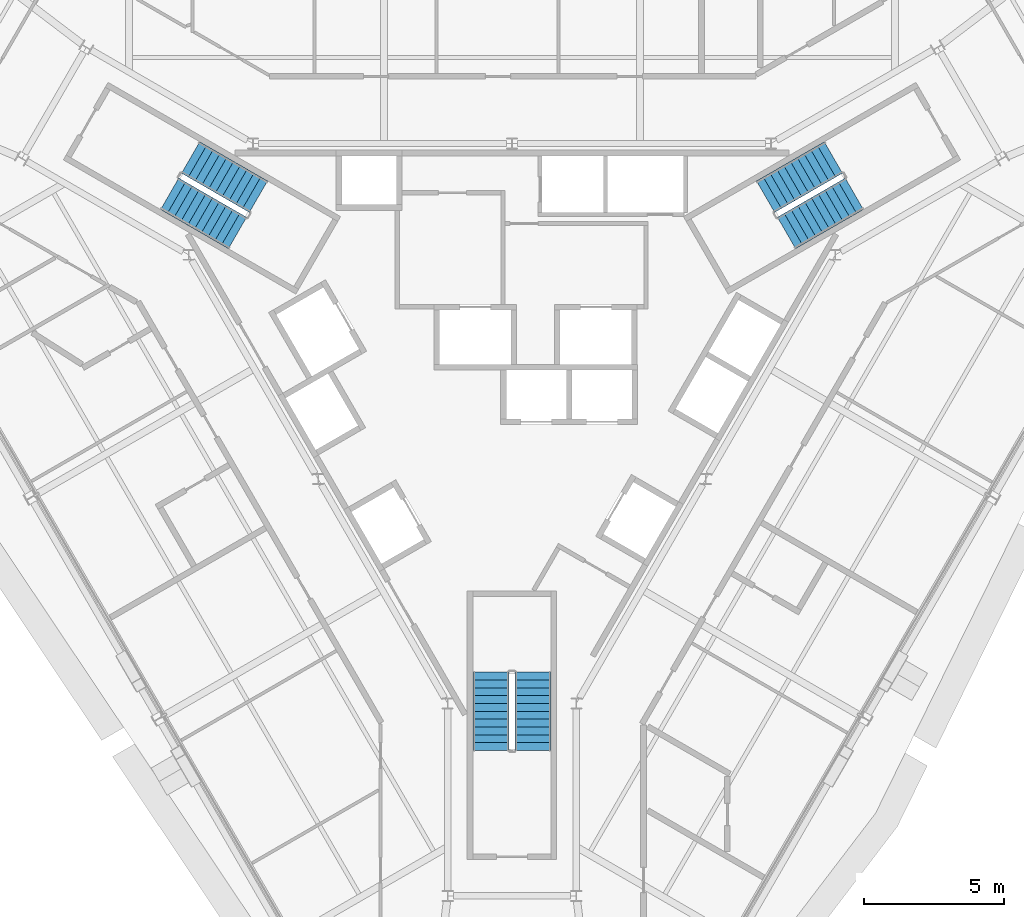
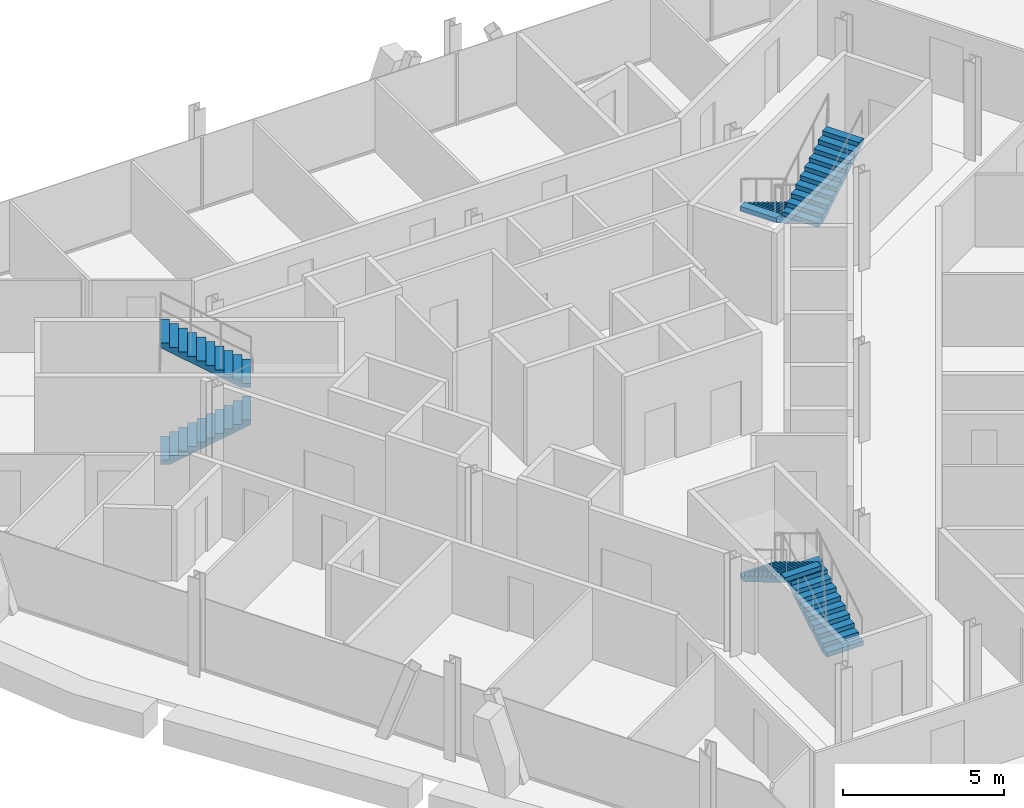
# One storey, part 13 of 15: 6 stair flights, 3 elements without a shape of their own.
"""IFC4 building model written with IfcOpenShell, lengths in metres."""

from ifc_helpers import new_model, si_unit, direction, frame, origin, place, context, subcontext, project, spatial, polyline, outline, extrude, material, type_object, element, aggregate, save


model = new_model("IFC4")

# Units and contexts
model_context = context("Model", 3, precision=1e-05, world=origin(), true_north=direction((0.0, 1.0)))
body_context = subcontext(model_context, "Body", "Model", "MODEL_VIEW")
ifc_project = project(units=[si_unit("LENGTHUNIT", "METRE"), si_unit("AREAUNIT", "SQUARE_METRE"), si_unit("VOLUMEUNIT", "CUBIC_METRE"), si_unit("PLANEANGLEUNIT", "RADIAN"), si_unit("MASSUNIT", "GRAM", prefix="KILO")], contexts=[model_context])

# Site, building, storey
site_placement = place(None, origin())
site = spatial("IfcSite", under=ifc_project, at=site_placement, CompositionType="ELEMENT")
building_placement = place(site_placement, origin())
building = spatial("IfcBuilding", under=site, at=building_placement, Name="Verrane Prism Tower", CompositionType="ELEMENT")
storey_placement = place(building_placement, frame((0.0, 0.0, 250.800048828125)))
storey = spatial("IfcBuildingStorey", under=building, at=storey_placement, Name="L63", CompositionType="ELEMENT", Elevation=250.800048828125)

# Stair, stair flights
ifc_material_1 = material(Name="Concrete C40/50", Category="concrete")
stair_type = type_object("IfcStairType", Name="Exit stair 1300 dog-leg precast concrete C40/50", PredefinedType="HALF_TURN_STAIR", material=ifc_material_1)
stair_1_placement = place(storey_placement, origin())
stair_1 = element("IfcStair", 1, at=stair_1_placement, inside=storey, type_object=stair_type, Name="Stair 1 L63", PredefinedType="HALF_TURN_STAIR")
ifc_material_2 = material(Name="Concrete C40/50", Category="concrete")
stair_flight_type = type_object("IfcStairFlightType", Name="Stair flight 1300 precast concrete C40/50", PredefinedType="STRAIGHT", material=ifc_material_2)
stair_flight_1_placement = place(storey_placement, frame((11.489501953125, 7.49951171875, 0.0), z_axis=(0.0, 0.0, 1.0), x_axis=(-0.866025403784, -0.5, 0.0)))
stair_flight_1 = element("IfcStairFlight", 2, at=stair_flight_1_placement, type_object=stair_flight_type, Name="Stair 1 flight 1", NumberOfRisers=11, NumberOfTreads=10, PredefinedType="STRAIGHT", RiserHeight=0.168181818, TreadLength=0.28, context=body_context, shape_type="SweptSolid", body=[
    extrude(outline(polyline([(0.0, 0.0), (0.0, 0.168212890625), (0.280029296875, 0.168212890625), (0.280029296875, 0.33642578125), (0.56005859375, 0.33642578125), (0.56005859375, 0.504638671875), (0.840087890625, 0.504638671875), (0.840087890625, 0.672607421875), (1.1201171875, 0.672607421875), (1.1201171875, 0.8408203125), (1.39990234375, 0.8408203125), (1.39990234375, 1.009033203125), (1.679931640625, 1.009033203125), (1.679931640625, 1.17724609375), (1.9599609375, 1.17724609375), (1.9599609375, 1.345458984375), (2.239990234375, 1.345458984375), (2.239990234375, 1.513671875), (2.52001953125, 1.513671875), (2.52001953125, 1.681884765625), (2.800048828125, 1.681884765625), (2.800048828125, 1.85009765625), (2.800048828125, 1.5068359375), (0.291015625, 0.0), (0.0, 0.0)])), frame((0.0, 0.64990234375, 0.0), z_axis=(0.0, -1.0, 0.0), x_axis=(1.0, 0.0, 0.0)), (0.0, 0.0, 1.0), 1.300048828125),
])
stair_flight_2_placement = place(storey_placement, frame((9.814697265625, 4.800537109375, 1.849853515625), z_axis=(0.0, 0.0, 1.0), x_axis=(0.866025403784, 0.5, 0.0)))
stair_flight_2 = element("IfcStairFlight", 3, at=stair_flight_2_placement, type_object=stair_flight_type, Name="Stair 1 flight 2", NumberOfRisers=11, NumberOfTreads=10, PredefinedType="STRAIGHT", RiserHeight=0.168181818, TreadLength=0.28, context=body_context, shape_type="SweptSolid", body=[
    extrude(outline(polyline([(0.0, 0.0), (0.0, 0.168212890625), (0.280029296875, 0.168212890625), (0.280029296875, 0.33642578125), (0.56005859375, 0.33642578125), (0.56005859375, 0.504638671875), (0.840087890625, 0.504638671875), (0.840087890625, 0.672607421875), (1.1201171875, 0.672607421875), (1.1201171875, 0.8408203125), (1.39990234375, 0.8408203125), (1.39990234375, 1.009033203125), (1.679931640625, 1.009033203125), (1.679931640625, 1.17724609375), (1.9599609375, 1.17724609375), (1.9599609375, 1.345458984375), (2.239990234375, 1.345458984375), (2.239990234375, 1.513671875), (2.52001953125, 1.513671875), (2.52001953125, 1.681884765625), (2.800048828125, 1.681884765625), (2.800048828125, 1.85009765625), (2.800048828125, 1.5068359375), (0.291015625, 0.0), (0.0, 0.0)])), frame((0.0, 0.64990234375, 0.0), z_axis=(0.0, -1.0, 0.0), x_axis=(1.0, 0.0, 0.0)), (0.0, 0.0, 1.0), 1.300048828125),
])
aggregate(stair_1, [stair_flight_1, stair_flight_2])

stair_2_placement = place(storey_placement, origin())
stair_2 = element("IfcStair", 4, at=stair_2_placement, inside=storey, type_object=stair_type, Name="Stair 2 L63", PredefinedType="HALF_TURN_STAIR")
stair_flight_3_placement = place(storey_placement, frame((-12.239501953125, 6.200439453125, 0.0), z_axis=(0.0, 0.0, 1.0), x_axis=(0.866025403784, -0.5, 0.0)))
stair_flight_3 = element("IfcStairFlight", 5, at=stair_flight_3_placement, type_object=stair_flight_type, Name="Stair 2 flight 1", NumberOfRisers=11, NumberOfTreads=10, PredefinedType="STRAIGHT", RiserHeight=0.168181818, TreadLength=0.28, context=body_context, shape_type="SweptSolid", body=[
    extrude(outline(polyline([(0.0, 0.0), (0.0, 0.168212890625), (0.280029296875, 0.168212890625), (0.280029296875, 0.33642578125), (0.56005859375, 0.33642578125), (0.56005859375, 0.504638671875), (0.840087890625, 0.504638671875), (0.840087890625, 0.672607421875), (1.1201171875, 0.672607421875), (1.1201171875, 0.8408203125), (1.39990234375, 0.8408203125), (1.39990234375, 1.009033203125), (1.679931640625, 1.009033203125), (1.679931640625, 1.17724609375), (1.9599609375, 1.17724609375), (1.9599609375, 1.345458984375), (2.239990234375, 1.345458984375), (2.239990234375, 1.513671875), (2.52001953125, 1.513671875), (2.52001953125, 1.681884765625), (2.800048828125, 1.681884765625), (2.800048828125, 1.85009765625), (2.800048828125, 1.5068359375), (0.291015625, 0.0), (0.0, 0.0)])), frame((0.0, 0.64990234375, 0.0), z_axis=(0.0, -1.0, 0.0), x_axis=(1.0, 0.0, 0.0)), (0.0, 0.0, 1.0), 1.300048828125),
])
stair_flight_4_placement = place(storey_placement, frame((-9.064697265625, 6.099609375, 1.849853515625), z_axis=(0.0, 0.0, 1.0), x_axis=(-0.866025403784, 0.5, 0.0)))
stair_flight_4 = element("IfcStairFlight", 6, at=stair_flight_4_placement, type_object=stair_flight_type, Name="Stair 2 flight 2", NumberOfRisers=11, NumberOfTreads=10, PredefinedType="STRAIGHT", RiserHeight=0.168181818, TreadLength=0.28, context=body_context, shape_type="SweptSolid", body=[
    extrude(outline(polyline([(0.0, 0.0), (0.0, 0.168212890625), (0.280029296875, 0.168212890625), (0.280029296875, 0.33642578125), (0.56005859375, 0.33642578125), (0.56005859375, 0.504638671875), (0.840087890625, 0.504638671875), (0.840087890625, 0.672607421875), (1.1201171875, 0.672607421875), (1.1201171875, 0.8408203125), (1.39990234375, 0.8408203125), (1.39990234375, 1.009033203125), (1.679931640625, 1.009033203125), (1.679931640625, 1.17724609375), (1.9599609375, 1.17724609375), (1.9599609375, 1.345458984375), (2.239990234375, 1.345458984375), (2.239990234375, 1.513671875), (2.52001953125, 1.513671875), (2.52001953125, 1.681884765625), (2.800048828125, 1.681884765625), (2.800048828125, 1.85009765625), (2.800048828125, 1.5068359375), (0.291015625, 0.0), (0.0, 0.0)])), frame((0.0, 0.64990234375, 0.0), z_axis=(0.0, -1.0, 0.0), x_axis=(1.0, 0.0, 0.0)), (0.0, 0.0, 1.0), 1.300048828125),
])
aggregate(stair_2, [stair_flight_3, stair_flight_4])

stair_3_placement = place(storey_placement, origin())
stair_3 = element("IfcStair", 7, at=stair_3_placement, inside=storey, type_object=stair_type, Name="Stair 3 L63", PredefinedType="HALF_TURN_STAIR")
stair_flight_5_placement = place(storey_placement, frame((0.75, -13.699951171875, 0.0), z_axis=(0.0, 0.0, 1.0), x_axis=(0.0, 1.0, 0.0)))
stair_flight_5 = element("IfcStairFlight", 8, at=stair_flight_5_placement, type_object=stair_flight_type, Name="Stair 3 flight 1", NumberOfRisers=11, NumberOfTreads=10, PredefinedType="STRAIGHT", RiserHeight=0.168181818, TreadLength=0.28, context=body_context, shape_type="SweptSolid", body=[
    extrude(outline(polyline([(0.0, 0.0), (0.0, 0.168212890625), (0.280029296875, 0.168212890625), (0.280029296875, 0.33642578125), (0.56005859375, 0.33642578125), (0.56005859375, 0.504638671875), (0.840087890625, 0.504638671875), (0.840087890625, 0.672607421875), (1.1201171875, 0.672607421875), (1.1201171875, 0.8408203125), (1.39990234375, 0.8408203125), (1.39990234375, 1.009033203125), (1.679931640625, 1.009033203125), (1.679931640625, 1.17724609375), (1.9599609375, 1.17724609375), (1.9599609375, 1.345458984375), (2.239990234375, 1.345458984375), (2.239990234375, 1.513671875), (2.52001953125, 1.513671875), (2.52001953125, 1.681884765625), (2.800048828125, 1.681884765625), (2.800048828125, 1.85009765625), (2.800048828125, 1.5068359375), (0.291015625, 0.0), (0.0, 0.0)])), frame((0.0, 0.64990234375, 0.0), z_axis=(0.0, -1.0, 0.0), x_axis=(1.0, 0.0, 0.0)), (0.0, 0.0, 1.0), 1.300048828125),
])
stair_flight_6_placement = place(storey_placement, frame((-0.75, -10.89990234375, 1.849853515625), z_axis=(0.0, 0.0, 1.0), x_axis=(0.0, -1.0, 0.0)))
stair_flight_6 = element("IfcStairFlight", 9, at=stair_flight_6_placement, type_object=stair_flight_type, Name="Stair 3 flight 2", NumberOfRisers=11, NumberOfTreads=10, PredefinedType="STRAIGHT", RiserHeight=0.168181818, TreadLength=0.28, context=body_context, shape_type="SweptSolid", body=[
    extrude(outline(polyline([(0.0, 0.0), (0.0, 0.168212890625), (0.280029296875, 0.168212890625), (0.280029296875, 0.33642578125), (0.56005859375, 0.33642578125), (0.56005859375, 0.504638671875), (0.840087890625, 0.504638671875), (0.840087890625, 0.672607421875), (1.1201171875, 0.672607421875), (1.1201171875, 0.8408203125), (1.39990234375, 0.8408203125), (1.39990234375, 1.009033203125), (1.679931640625, 1.009033203125), (1.679931640625, 1.17724609375), (1.9599609375, 1.17724609375), (1.9599609375, 1.345458984375), (2.239990234375, 1.345458984375), (2.239990234375, 1.513671875), (2.52001953125, 1.513671875), (2.52001953125, 1.681884765625), (2.800048828125, 1.681884765625), (2.800048828125, 1.85009765625), (2.800048828125, 1.5068359375), (0.291015625, 0.0), (0.0, 0.0)])), frame((0.0, 0.64990234375, 0.0), z_axis=(0.0, -1.0, 0.0), x_axis=(1.0, 0.0, 0.0)), (0.0, 0.0, 1.0), 1.300048828125),
])
aggregate(stair_3, [stair_flight_5, stair_flight_6])

save(model, "model.ifc")
